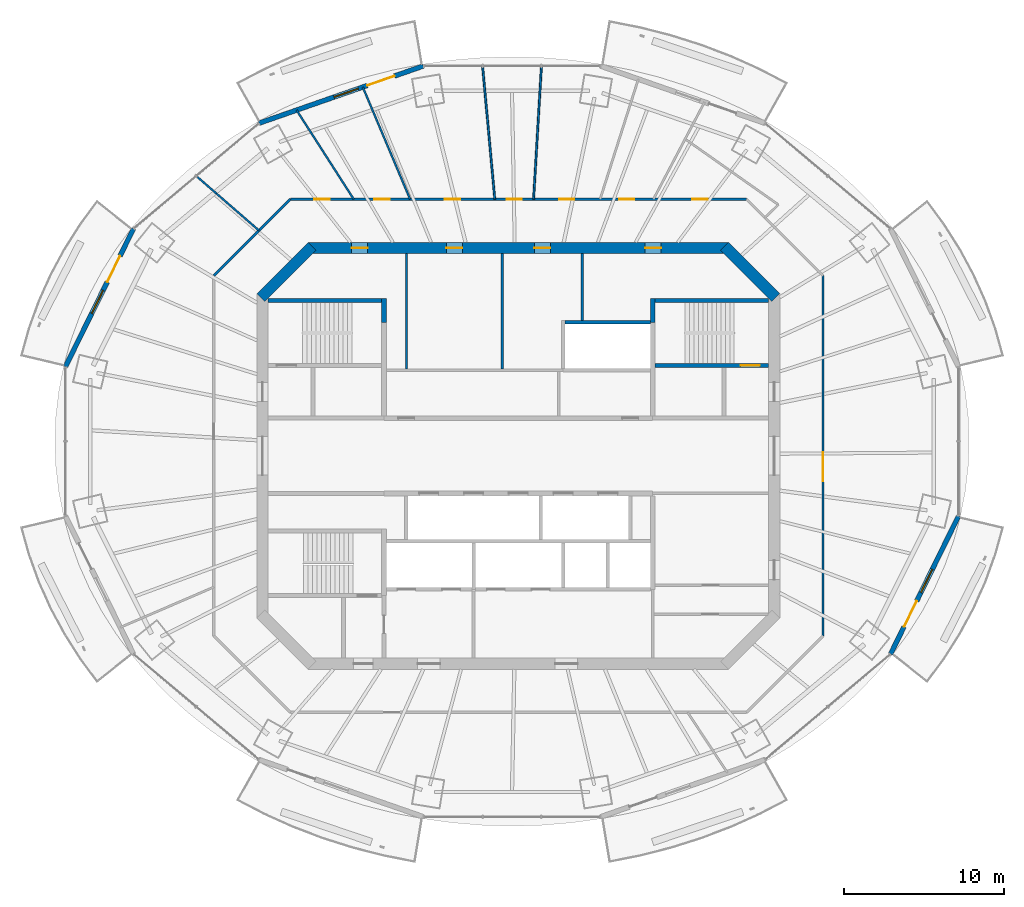
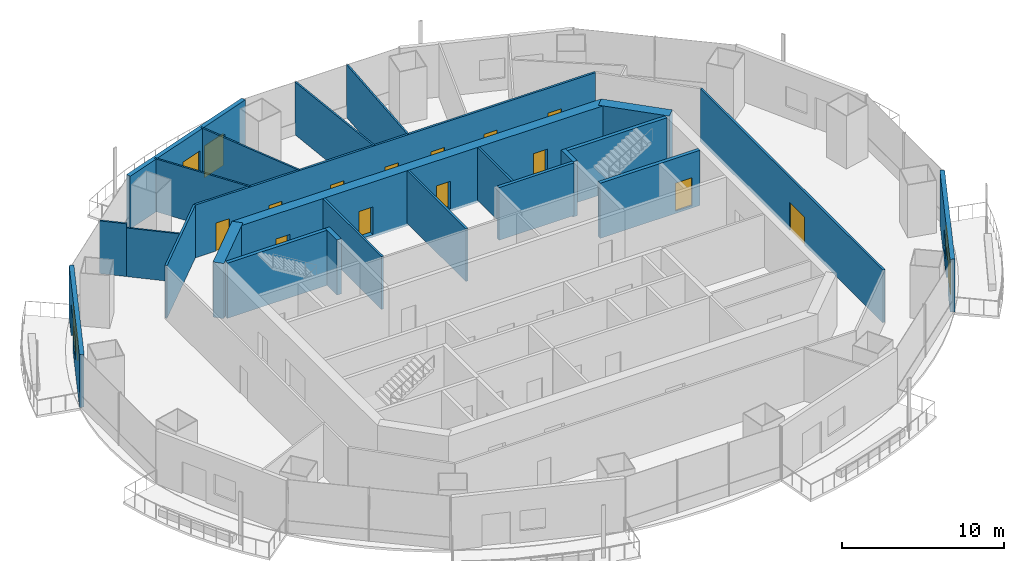
# One storey, part 10 of 16: 24 walls, 16 doors, 3 windows, 19 openings.
"""IFC4 building model written with IfcOpenShell, lengths in metres."""

from ifc_helpers import new_model, si_unit, direction, frame, frame_2d, origin, place, context, subcontext, project, spatial, rectangle, extrude, material, layer, layer_set, type_object, element, fill, save


model = new_model("IFC4")

# Units and contexts
model_context = context("Model", 3, precision=1e-05, world=origin(), true_north=direction((0.0, 1.0)))
body_context = subcontext(model_context, "Body", "Model", "MODEL_VIEW")
ifc_project = project(units=[si_unit("LENGTHUNIT", "METRE"), si_unit("AREAUNIT", "SQUARE_METRE"), si_unit("VOLUMEUNIT", "CUBIC_METRE"), si_unit("PLANEANGLEUNIT", "RADIAN"), si_unit("MASSUNIT", "GRAM", prefix="KILO")], contexts=[model_context])

# Site, building, storey
site_placement = place(None, origin())
site = spatial("IfcSite", under=ifc_project, at=site_placement, CompositionType="ELEMENT")
building_placement = place(site_placement, origin())
building = spatial("IfcBuilding", under=site, at=building_placement, Name="Marenthal Gate Tower", CompositionType="ELEMENT")
storey_placement = place(building_placement, frame((0.0, 0.0, 301.10009765625)))
storey = spatial("IfcBuildingStorey", under=building, at=storey_placement, Name="L67", CompositionType="ELEMENT", Elevation=301.10009765625)

# Wall
ifc_material_1 = material(Name="Concrete 60 MPa", Category="concrete")
ifc_layer_1 = layer(ifc_material_1, 0.699951171875)
ifc_layer_set_1 = layer_set([ifc_layer_1], Name="Core shear wall 700")
wall_type_1 = type_object("IfcWallType", Name="Core shear wall 700", PredefinedType="SHEAR", material=ifc_layer_set_1)
wall_1_placement = place(storey_placement, frame((16.1025390625, 9.8974609375, -0.18017578125), z_axis=(0.0, 0.0, 1.0), x_axis=(-0.707106781187, 0.707106781187, 0.0)))
element("IfcWall", 1, at=wall_1_placement, inside=storey, type_object=wall_type_1, Name="Core wall 03", PredefinedType="SHEAR", context=body_context, shape_type="SweptSolid", body=[
    extrude(rectangle(XDim=4.53271484375, YDim=0.699951171875, at=frame_2d((2.266357421875, 0.0))), origin(), (0.0, 0.0, 1.0), 4.150146484375),
])

# Wall, openings, doors
wall_2_placement = place(storey_placement, frame((13.14501953125, 13.0, -0.18017578125), z_axis=(0.0, 0.0, 1.0), x_axis=(-1.0, 0.0, 0.0)))
wall_2 = element("IfcWall", 2, at=wall_2_placement, inside=storey, type_object=wall_type_1, Name="Core wall 04", PredefinedType="SHEAR", context=body_context, shape_type="SweptSolid", body=[
    extrude(rectangle(XDim=26.2900390625, YDim=0.699951171875, at=frame_2d((13.14501953125, 0.0))), origin(), (0.0, 0.0, 1.0), 4.150146484375),
])
opening_1_placement = place(wall_2_placement, frame((22.57275390625, 0.0, 0.179931640625)))
opening_1 = element("IfcOpeningElement", 3, at=opening_1_placement, cuts=wall_2, Name="Opening D005.03", PredefinedType="OPENING", context=body_context, shape_type="SweptSolid", body=[
    extrude(rectangle(XDim=1.0, YDim=2.10009765625, at=frame_2d((0.5, 1.050048828125))), frame((0.0, 0.35986328125, 0.0), z_axis=(0.0, -1.0, 0.0), x_axis=(1.0, 0.0, 0.0)), (0.0, 0.0, 1.0), 0.719970703125),
])
opening_2_placement = place(wall_2_placement, frame((16.64501953125, 0.0, 0.179931640625)))
opening_2 = element("IfcOpeningElement", 4, at=opening_2_placement, cuts=wall_2, Name="Opening D005.04", PredefinedType="OPENING", context=body_context, shape_type="SweptSolid", body=[
    extrude(rectangle(XDim=1.0, YDim=2.10009765625, at=frame_2d((0.5, 1.050048828125))), frame((0.0, 0.35986328125, 0.0), z_axis=(0.0, -1.0, 0.0), x_axis=(1.0, 0.0, 0.0)), (0.0, 0.0, 1.0), 0.719970703125),
])
opening_3_placement = place(wall_2_placement, frame((11.14501953125, 0.0, 0.179931640625)))
opening_3 = element("IfcOpeningElement", 5, at=opening_3_placement, cuts=wall_2, Name="Opening D005.05", PredefinedType="OPENING", context=body_context, shape_type="SweptSolid", body=[
    extrude(rectangle(XDim=1.0, YDim=2.10009765625, at=frame_2d((0.5, 1.050048828125))), frame((0.0, 0.35986328125, 0.0), z_axis=(0.0, -1.0, 0.0), x_axis=(1.0, 0.0, 0.0)), (0.0, 0.0, 1.0), 0.719970703125),
])
opening_4_placement = place(wall_2_placement, frame((4.21728515625, 0.0, 0.179931640625)))
opening_4 = element("IfcOpeningElement", 6, at=opening_4_placement, cuts=wall_2, Name="Opening D005.06", PredefinedType="OPENING", context=body_context, shape_type="SweptSolid", body=[
    extrude(rectangle(XDim=1.0, YDim=2.10009765625, at=frame_2d((0.5, 1.050048828125))), frame((0.0, 0.35986328125, 0.0), z_axis=(0.0, -1.0, 0.0), x_axis=(1.0, 0.0, 0.0)), (0.0, 0.0, 1.0), 0.719970703125),
])
ifc_material_2 = material(Name="Steel fire door", Category="steel")
door_type_1 = type_object("IfcDoorType", Name="Fire door FD 45 1000 x 2100", OperationType="NOTDEFINED", PredefinedType="DOOR", material=ifc_material_2)
door_1_placement = place(opening_1_placement, origin())
door_1 = element("IfcDoor", 7, at=door_1_placement, inside=storey, type_object=door_type_1, Name="Door D005.03", OperationType="SINGLE_SWING_RIGHT", OverallHeight=2.10009765625, OverallWidth=1.0, PredefinedType="DOOR", context=body_context, shape_type="SweptSolid", body=[
    extrude(rectangle(XDim=1.0, YDim=2.10009765625, at=frame_2d((0.5, 1.050048828125))), frame((0.0, 0.02490234375, 0.0), z_axis=(0.0, -1.0, 0.0), x_axis=(1.0, 0.0, 0.0)), (0.0, 0.0, 1.0), 0.050048828125),
])
fill(opening_1, door_1)
door_2_placement = place(opening_2_placement, origin())
door_2 = element("IfcDoor", 8, at=door_2_placement, inside=storey, type_object=door_type_1, Name="Door D005.04", OperationType="SINGLE_SWING_RIGHT", OverallHeight=2.10009765625, OverallWidth=1.0, PredefinedType="DOOR", context=body_context, shape_type="SweptSolid", body=[
    extrude(rectangle(XDim=1.0, YDim=2.10009765625, at=frame_2d((0.5, 1.050048828125))), frame((0.0, 0.02490234375, 0.0), z_axis=(0.0, -1.0, 0.0), x_axis=(1.0, 0.0, 0.0)), (0.0, 0.0, 1.0), 0.050048828125),
])
fill(opening_2, door_2)
door_3_placement = place(opening_3_placement, origin())
door_3 = element("IfcDoor", 9, at=door_3_placement, inside=storey, type_object=door_type_1, Name="Door D005.05", OperationType="SINGLE_SWING_RIGHT", OverallHeight=2.10009765625, OverallWidth=1.0, PredefinedType="DOOR", context=body_context, shape_type="SweptSolid", body=[
    extrude(rectangle(XDim=1.0, YDim=2.10009765625, at=frame_2d((0.5, 1.050048828125))), frame((0.0, 0.02490234375, 0.0), z_axis=(0.0, -1.0, 0.0), x_axis=(1.0, 0.0, 0.0)), (0.0, 0.0, 1.0), 0.050048828125),
])
fill(opening_3, door_3)
door_4_placement = place(opening_4_placement, origin())
door_4 = element("IfcDoor", 10, at=door_4_placement, inside=storey, type_object=door_type_1, Name="Door D005.06", OperationType="SINGLE_SWING_RIGHT", OverallHeight=2.10009765625, OverallWidth=1.0, PredefinedType="DOOR", context=body_context, shape_type="SweptSolid", body=[
    extrude(rectangle(XDim=1.0, YDim=2.10009765625, at=frame_2d((0.5, 1.050048828125))), frame((0.0, 0.02490234375, 0.0), z_axis=(0.0, -1.0, 0.0), x_axis=(1.0, 0.0, 0.0)), (0.0, 0.0, 1.0), 0.050048828125),
])
fill(opening_4, door_4)

# Walls
wall_3_placement = place(storey_placement, frame((-12.8974609375, 13.1025390625, -0.18017578125), z_axis=(0.0, 0.0, 1.0), x_axis=(-0.707106781187, -0.707106781187, 0.0)))
element("IfcWall", 11, at=wall_3_placement, inside=storey, type_object=wall_type_1, Name="Core wall 05", PredefinedType="SHEAR", context=body_context, shape_type="SweptSolid", body=[
    extrude(rectangle(XDim=4.53271484375, YDim=0.699951171875, at=frame_2d((2.266357421875, 0.0))), origin(), (0.0, 0.0, 1.0), 4.150146484375),
])
ifc_material_3 = material(Name="Concrete 40 MPa", Category="concrete")
ifc_layer_2 = layer(ifc_material_3, 0.219970703125)
ifc_layer_set_2 = layer_set([ifc_layer_2], Name="Hoistway wall 220")
wall_type_2 = type_object("IfcWallType", Name="Hoistway wall 220", PredefinedType="STANDARD", material=ifc_layer_set_2)
wall_4_placement = place(storey_placement, frame((2.909912109375, 8.35009765625, 0.0), z_axis=(0.0, 0.0, 1.0), x_axis=(1.0, 0.0, 0.0)))
element("IfcWall", 12, at=wall_4_placement, inside=storey, type_object=wall_type_2, Name="Hoistway wall 26", PredefinedType="STANDARD", context=body_context, shape_type="SweptSolid", body=[
    extrude(rectangle(XDim=5.340087890625, YDim=0.219970703125, at=frame_2d((2.669921875, 0.0))), origin(), (0.0, 0.0, 1.0), 3.969970703125),
])
ifc_material_4 = material(Name="Gypsum board on steel studs", Category="steel")
ifc_layer_3 = layer(ifc_material_4, 0.1201171875)
ifc_layer_set_3 = layer_set([ifc_layer_3], Name="Partition 120")
wall_type_3 = type_object("IfcWallType", Name="Partition 120", PredefinedType="PARTITIONING", material=ifc_layer_set_3)
wall_5_placement = place(storey_placement, frame((-16.222412109375, 14.091064453125, 0.0), z_axis=(0.0, 0.0, 1.0), x_axis=(-0.75497337259, 0.655755447313, 0.0)))
element("IfcWall", 13, at=wall_5_placement, inside=storey, type_object=wall_type_3, Name="Partition wall 55", PredefinedType="PARTITIONING", context=body_context, shape_type="SweptSolid", body=[
    extrude(rectangle(XDim=3.513916015625, YDim=0.1201171875, at=frame_2d((1.7568359375, 0.0))), origin(), (0.0, 0.0, 1.0), 3.659912109375),
])
wall_6_placement = place(storey_placement, frame((-18.875244140625, 16.395263671875, 0.0), z_axis=(0.0, 0.0, 1.0), x_axis=(-0.754938829858, 0.655795214357, 0.0)))
element("IfcWall", 14, at=wall_6_placement, inside=storey, type_object=wall_type_3, Name="Partition wall 71", PredefinedType="PARTITIONING", context=body_context, shape_type="SweptSolid", body=[
    extrude(rectangle(XDim=1.686767578125, YDim=0.1201171875, at=frame_2d((0.84326171875, 0.0))), origin(), (0.0, 0.0, 1.0), 3.969970703125),
])
wall_7_placement = place(storey_placement, frame((-10.29931640625, 16.050048828125, 0.0), z_axis=(0.0, 0.0, 1.0), x_axis=(-0.540034071495, 0.841643155752, 0.0)))
element("IfcWall", 15, at=wall_7_placement, inside=storey, type_object=wall_type_3, Name="Partition wall 58", PredefinedType="PARTITIONING", context=body_context, shape_type="SweptSolid", body=[
    extrude(rectangle(XDim=6.618896484375, YDim=0.1201171875, at=frame_2d((3.3095703125, 0.0))), origin(), (0.0, 0.0, 1.0), 3.969970703125),
])
wall_8_placement = place(storey_placement, frame((-6.7734375, 16.050048828125, 0.0), z_axis=(0.0, 0.0, 1.0), x_axis=(-0.388811119227, 0.92131748793, 0.0)))
element("IfcWall", 16, at=wall_8_placement, inside=storey, type_object=wall_type_3, Name="Partition wall 59", PredefinedType="PARTITIONING", context=body_context, shape_type="SweptSolid", body=[
    extrude(rectangle(XDim=7.611572265625, YDim=0.1201171875, at=frame_2d((3.8056640625, 0.0))), origin(), (0.0, 0.0, 1.0), 3.969970703125),
])
wall_9_placement = place(storey_placement, frame((-1.47607421875, 16.050048828125, 0.0), z_axis=(0.0, 0.0, 1.0), x_axis=(-0.09154907724, 0.995800565604, 0.0)))
element("IfcWall", 17, at=wall_9_placement, inside=storey, type_object=wall_type_3, Name="Partition wall 60", PredefinedType="PARTITIONING", context=body_context, shape_type="SweptSolid", body=[
    extrude(rectangle(XDim=8.363037109375, YDim=0.1201171875, at=frame_2d((4.181640625, 0.0))), origin(), (0.0, 0.0, 1.0), 3.969970703125),
])
wall_10_placement = place(storey_placement, frame((0.94921875, 16.050048828125, 0.0), z_axis=(0.0, 0.0, 1.0), x_axis=(0.059056546613, 0.998254639009, 0.0)))
element("IfcWall", 18, at=wall_10_placement, inside=storey, type_object=wall_type_3, Name="Partition wall 61", PredefinedType="PARTITIONING", context=body_context, shape_type="SweptSolid", body=[
    extrude(rectangle(XDim=8.342529296875, YDim=0.1201171875, at=frame_2d((4.17138671875, 0.0))), origin(), (0.0, 0.0, 1.0), 3.969970703125),
])
ifc_material_5 = material(Name="Gypsum board on steel studs", Category="steel")
ifc_layer_4 = layer(ifc_material_5, 0.14990234375)
ifc_layer_set_4 = layer_set([ifc_layer_4], Name="Partition 150")
wall_type_4 = type_object("IfcWallType", Name="Partition 150", PredefinedType="PARTITIONING", material=ifc_layer_set_4)
for number, where, z_axis, x_axis, name in (
    (19, (-7.0, 5.425048828125, 0.0), (0.0, 0.0, 1.0), (0.0, 1.0, 0.0), "Partition wall 36"),
    (20, (-1.0, 5.425048828125, 0.0), (0.0, 0.0, 1.0), (0.0, 1.0, 0.0), "Partition wall 39"),
):
    element("IfcWall", number, at=place(storey_placement, frame(where, z_axis=z_axis, x_axis=x_axis)), inside=storey, type_object=wall_type_4, Name=name, PredefinedType="PARTITIONING", context=body_context, shape_type="SweptSolid", body=[
        extrude(rectangle(XDim=7.224853515625, YDim=0.14990234375, at=frame_2d((3.6123046875, 0.0))), origin(), (0.0, 0.0, 1.0), 3.969970703125),
    ])
wall_11_placement = place(storey_placement, frame((4.0, 8.4599609375, 0.0), z_axis=(0.0, 0.0, 1.0), x_axis=(0.0, 1.0, 0.0)))
element("IfcWall", 21, at=wall_11_placement, inside=storey, type_object=wall_type_4, Name="Partition wall 44", PredefinedType="PARTITIONING", context=body_context, shape_type="SweptSolid", body=[
    extrude(rectangle(XDim=4.18994140625, YDim=0.14990234375, at=frame_2d((2.094970703125, 0.0))), origin(), (0.0, 0.0, 1.0), 3.969970703125),
])
wall_12_placement = place(storey_placement, frame((-19.050048828125, 11.263427734375, 0.0), z_axis=(0.0, 0.0, 1.0), x_axis=(0.707106781187, 0.707106781187, 0.0)))
element("IfcWall", 22, at=wall_12_placement, inside=storey, type_object=wall_type_4, Name="Partition wall 54", PredefinedType="PARTITIONING", context=body_context, shape_type="SweptSolid", body=[
    extrude(rectangle(XDim=6.769287109375, YDim=0.14990234375, at=frame_2d((3.384765625, 0.0))), origin(), (0.0, 0.0, 1.0), 3.969970703125),
])

# Wall, openings, doors
wall_13_placement = place(storey_placement, frame((-14.263427734375, 16.050048828125, 0.0), z_axis=(0.0, 0.0, 1.0), x_axis=(1.0, 0.0, 0.0)))
wall_13 = element("IfcWall", 23, at=wall_13_placement, inside=storey, type_object=wall_type_4, Name="Partition wall 57", PredefinedType="PARTITIONING", context=body_context, shape_type="SweptSolid", body=[
    extrude(rectangle(XDim=28.52685546875, YDim=0.14990234375, at=frame_2d((14.263427734375, 0.0))), origin(), (0.0, 0.0, 1.0), 3.969970703125),
])
opening_5_placement = place(wall_13_placement, frame((25.14404296875, 0.0, 0.0)))
opening_5 = element("IfcOpeningElement", 24, at=opening_5_placement, cuts=wall_13, Name="Opening D016.01", PredefinedType="OPENING", context=body_context, shape_type="SweptSolid", body=[
    extrude(rectangle(XDim=0.949951171875, YDim=2.10009765625, at=frame_2d((0.47509765625, 1.050048828125))), frame((0.0, 0.0849609375, 0.0), z_axis=(0.0, -1.0, 0.0), x_axis=(1.0, 0.0, 0.0)), (0.0, 0.0, 1.0), 0.169921875),
])
opening_6_placement = place(wall_13_placement, frame((20.56689453125, 0.0, 0.0)))
opening_6 = element("IfcOpeningElement", 25, at=opening_6_placement, cuts=wall_13, Name="Opening D016.02", PredefinedType="OPENING", context=body_context, shape_type="SweptSolid", body=[
    extrude(rectangle(XDim=0.949951171875, YDim=2.10009765625, at=frame_2d((0.47509765625, 1.050048828125))), frame((0.0, 0.0849609375, 0.0), z_axis=(0.0, -1.0, 0.0), x_axis=(1.0, 0.0, 0.0)), (0.0, 0.0, 1.0), 0.169921875),
])
opening_7_placement = place(wall_13_placement, frame((16.818115234375, 0.0, 0.0)))
opening_7 = element("IfcOpeningElement", 26, at=opening_7_placement, cuts=wall_13, Name="Opening D016.03", PredefinedType="OPENING", context=body_context, shape_type="SweptSolid", body=[
    extrude(rectangle(XDim=0.949951171875, YDim=2.10009765625, at=frame_2d((0.47509765625, 1.050048828125))), frame((0.0, 0.0849609375, 0.0), z_axis=(0.0, -1.0, 0.0), x_axis=(1.0, 0.0, 0.0)), (0.0, 0.0, 1.0), 0.169921875),
])
opening_8_placement = place(wall_13_placement, frame((13.52490234375, 0.0, 0.0)))
opening_8 = element("IfcOpeningElement", 27, at=opening_8_placement, cuts=wall_13, Name="Opening D016.04", PredefinedType="OPENING", context=body_context, shape_type="SweptSolid", body=[
    extrude(rectangle(XDim=0.949951171875, YDim=2.10009765625, at=frame_2d((0.47509765625, 1.050048828125))), frame((0.0, 0.0849609375, 0.0), z_axis=(0.0, -1.0, 0.0), x_axis=(1.0, 0.0, 0.0)), (0.0, 0.0, 1.0), 0.169921875),
])
opening_9_placement = place(wall_13_placement, frame((9.6640625, 0.0, 0.0)))
opening_9 = element("IfcOpeningElement", 28, at=opening_9_placement, cuts=wall_13, Name="Opening D016.05", PredefinedType="OPENING", context=body_context, shape_type="SweptSolid", body=[
    extrude(rectangle(XDim=0.949951171875, YDim=2.10009765625, at=frame_2d((0.47509765625, 1.050048828125))), frame((0.0, 0.0849609375, 0.0), z_axis=(0.0, -1.0, 0.0), x_axis=(1.0, 0.0, 0.0)), (0.0, 0.0, 1.0), 0.169921875),
])
opening_10_placement = place(wall_13_placement, frame((5.251953125, 0.0, 0.0)))
opening_10 = element("IfcOpeningElement", 29, at=opening_10_placement, cuts=wall_13, Name="Opening D016.06", PredefinedType="OPENING", context=body_context, shape_type="SweptSolid", body=[
    extrude(rectangle(XDim=0.949951171875, YDim=2.10009765625, at=frame_2d((0.47509765625, 1.050048828125))), frame((0.0, 0.0849609375, 0.0), z_axis=(0.0, -1.0, 0.0), x_axis=(1.0, 0.0, 0.0)), (0.0, 0.0, 1.0), 0.169921875),
])
opening_11_placement = place(wall_13_placement, frame((1.507080078125, 0.0, 0.0)))
opening_11 = element("IfcOpeningElement", 30, at=opening_11_placement, cuts=wall_13, Name="Opening D016.07", PredefinedType="OPENING", context=body_context, shape_type="SweptSolid", body=[
    extrude(rectangle(XDim=0.949951171875, YDim=2.10009765625, at=frame_2d((0.47509765625, 1.050048828125))), frame((0.0, 0.0849609375, 0.0), z_axis=(0.0, -1.0, 0.0), x_axis=(1.0, 0.0, 0.0)), (0.0, 0.0, 1.0), 0.169921875),
])
ifc_material_6 = material(Name="Timber door", Category="wood")
door_type_2 = type_object("IfcDoorType", Name="Door 950 x 2100", OperationType="NOTDEFINED", PredefinedType="DOOR", material=ifc_material_6)
door_5_placement = place(opening_5_placement, origin())
door_5 = element("IfcDoor", 31, at=door_5_placement, inside=storey, type_object=door_type_2, Name="Door D016.01", OperationType="SINGLE_SWING_RIGHT", OverallHeight=2.10009765625, OverallWidth=0.949951171875, PredefinedType="DOOR", context=body_context, shape_type="SweptSolid", body=[
    extrude(rectangle(XDim=0.949951171875, YDim=2.10009765625, at=frame_2d((0.47509765625, 1.050048828125))), frame((0.0, 0.02490234375, 0.0), z_axis=(0.0, -1.0, 0.0), x_axis=(1.0, 0.0, 0.0)), (0.0, 0.0, 1.0), 0.050048828125),
])
fill(opening_5, door_5)
door_6_placement = place(opening_6_placement, origin())
door_6 = element("IfcDoor", 32, at=door_6_placement, inside=storey, type_object=door_type_2, Name="Door D016.02", OperationType="SINGLE_SWING_RIGHT", OverallHeight=2.10009765625, OverallWidth=0.949951171875, PredefinedType="DOOR", context=body_context, shape_type="SweptSolid", body=[
    extrude(rectangle(XDim=0.949951171875, YDim=2.10009765625, at=frame_2d((0.47509765625, 1.050048828125))), frame((0.0, 0.02490234375, 0.0), z_axis=(0.0, -1.0, 0.0), x_axis=(1.0, 0.0, 0.0)), (0.0, 0.0, 1.0), 0.050048828125),
])
fill(opening_6, door_6)
door_7_placement = place(opening_7_placement, origin())
door_7 = element("IfcDoor", 33, at=door_7_placement, inside=storey, type_object=door_type_2, Name="Door D016.03", OperationType="SINGLE_SWING_RIGHT", OverallHeight=2.10009765625, OverallWidth=0.949951171875, PredefinedType="DOOR", context=body_context, shape_type="SweptSolid", body=[
    extrude(rectangle(XDim=0.949951171875, YDim=2.10009765625, at=frame_2d((0.47509765625, 1.050048828125))), frame((0.0, 0.02490234375, 0.0), z_axis=(0.0, -1.0, 0.0), x_axis=(1.0, 0.0, 0.0)), (0.0, 0.0, 1.0), 0.050048828125),
])
fill(opening_7, door_7)
door_8_placement = place(opening_8_placement, origin())
door_8 = element("IfcDoor", 34, at=door_8_placement, inside=storey, type_object=door_type_2, Name="Door D016.04", OperationType="SINGLE_SWING_RIGHT", OverallHeight=2.10009765625, OverallWidth=0.949951171875, PredefinedType="DOOR", context=body_context, shape_type="SweptSolid", body=[
    extrude(rectangle(XDim=0.949951171875, YDim=2.10009765625, at=frame_2d((0.47509765625, 1.050048828125))), frame((0.0, 0.02490234375, 0.0), z_axis=(0.0, -1.0, 0.0), x_axis=(1.0, 0.0, 0.0)), (0.0, 0.0, 1.0), 0.050048828125),
])
fill(opening_8, door_8)
door_9_placement = place(opening_9_placement, origin())
door_9 = element("IfcDoor", 35, at=door_9_placement, inside=storey, type_object=door_type_2, Name="Door D016.05", OperationType="SINGLE_SWING_RIGHT", OverallHeight=2.10009765625, OverallWidth=0.949951171875, PredefinedType="DOOR", context=body_context, shape_type="SweptSolid", body=[
    extrude(rectangle(XDim=0.949951171875, YDim=2.10009765625, at=frame_2d((0.47509765625, 1.050048828125))), frame((0.0, 0.02490234375, 0.0), z_axis=(0.0, -1.0, 0.0), x_axis=(1.0, 0.0, 0.0)), (0.0, 0.0, 1.0), 0.050048828125),
])
fill(opening_9, door_9)
door_10_placement = place(opening_10_placement, origin())
door_10 = element("IfcDoor", 36, at=door_10_placement, inside=storey, type_object=door_type_2, Name="Door D016.06", OperationType="SINGLE_SWING_RIGHT", OverallHeight=2.10009765625, OverallWidth=0.949951171875, PredefinedType="DOOR", context=body_context, shape_type="SweptSolid", body=[
    extrude(rectangle(XDim=0.949951171875, YDim=2.10009765625, at=frame_2d((0.47509765625, 1.050048828125))), frame((0.0, 0.02490234375, 0.0), z_axis=(0.0, -1.0, 0.0), x_axis=(1.0, 0.0, 0.0)), (0.0, 0.0, 1.0), 0.050048828125),
])
fill(opening_10, door_10)
door_11_placement = place(opening_11_placement, origin())
door_11 = element("IfcDoor", 37, at=door_11_placement, inside=storey, type_object=door_type_2, Name="Door D016.07", OperationType="SINGLE_SWING_RIGHT", OverallHeight=2.10009765625, OverallWidth=0.949951171875, PredefinedType="DOOR", context=body_context, shape_type="SweptSolid", body=[
    extrude(rectangle(XDim=0.949951171875, YDim=2.10009765625, at=frame_2d((0.47509765625, 1.050048828125))), frame((0.0, 0.02490234375, 0.0), z_axis=(0.0, -1.0, 0.0), x_axis=(1.0, 0.0, 0.0)), (0.0, 0.0, 1.0), 0.050048828125),
])
fill(opening_11, door_11)

# Wall, opening, door
wall_14_placement = place(storey_placement, frame((19.050048828125, 11.263427734375, 0.0), z_axis=(0.0, 0.0, 1.0), x_axis=(0.0, -1.0, 0.0)))
wall_14 = element("IfcWall", 38, at=wall_14_placement, inside=storey, type_object=wall_type_4, Name="Partition wall 70", PredefinedType="PARTITIONING", context=body_context, shape_type="SweptSolid", body=[
    extrude(rectangle(XDim=22.52685546875, YDim=0.14990234375, at=frame_2d((11.263427734375, 0.0))), origin(), (0.0, 0.0, 1.0), 3.969970703125),
])
opening_12_placement = place(wall_14_placement, frame((11.0419921875, 0.0, 0.0)))
opening_12 = element("IfcOpeningElement", 39, at=opening_12_placement, cuts=wall_14, Name="Opening D014.01", PredefinedType="OPENING", context=body_context, shape_type="SweptSolid", body=[
    extrude(rectangle(XDim=1.800048828125, YDim=2.10009765625, at=frame_2d((0.89990234375, 1.050048828125))), frame((0.0, 0.0849609375, 0.0), z_axis=(0.0, -1.0, 0.0), x_axis=(1.0, 0.0, 0.0)), (0.0, 0.0, 1.0), 0.169921875),
])
ifc_material_7 = material(Name="Timber door", Category="wood")
door_type_3 = type_object("IfcDoorType", Name="Double door 1800 x 2100", OperationType="DOUBLE_DOOR_SINGLE_SWING", PredefinedType="DOOR", material=ifc_material_7)
door_12_placement = place(opening_12_placement, origin())
door_12 = element("IfcDoor", 40, at=door_12_placement, inside=storey, type_object=door_type_3, Name="Door D014.01", OperationType="DOUBLE_DOOR_SINGLE_SWING", OverallHeight=2.10009765625, OverallWidth=1.800048828125, PredefinedType="DOOR", context=body_context, shape_type="SweptSolid", body=[
    extrude(rectangle(XDim=1.800048828125, YDim=2.10009765625, at=frame_2d((0.89990234375, 1.050048828125))), frame((0.0, 0.02490234375, 0.0), z_axis=(0.0, -1.0, 0.0), x_axis=(1.0, 0.0, 0.0)), (0.0, 0.0, 1.0), 0.050048828125),
])
fill(opening_12, door_12)

ifc_material_8 = material(Name="Concrete 50 MPa", Category="concrete")
ifc_layer_5 = layer(ifc_material_8, 0.25)
ifc_layer_set_5 = layer_set([ifc_layer_5], Name="Stair shear wall 250")
wall_type_5 = type_object("IfcWallType", Name="Stair shear wall 250", PredefinedType="SHEAR", material=ifc_layer_set_5)
wall_15_placement = place(storey_placement, frame((8.550048828125, 5.64990234375, -0.18017578125), z_axis=(0.0, 0.0, 1.0), x_axis=(1.0, 0.0, 0.0)))
wall_15 = element("IfcWall", 41, at=wall_15_placement, inside=storey, type_object=wall_type_5, Name="Stair wall 25", PredefinedType="SHEAR", context=body_context, shape_type="SweptSolid", body=[
    extrude(rectangle(XDim=7.099853515625, YDim=0.25, at=frame_2d((3.5498046875, 0.0))), origin(), (0.0, 0.0, 1.0), 4.150146484375),
])
opening_13_placement = place(wall_15_placement, frame((5.35009765625, 0.0, 0.179931640625)))
opening_13 = element("IfcOpeningElement", 42, at=opening_13_placement, cuts=wall_15, Name="Opening D001.02", PredefinedType="OPENING", context=body_context, shape_type="SweptSolid", body=[
    extrude(rectangle(XDim=1.199951171875, YDim=2.10009765625, at=frame_2d((0.60009765625, 1.050048828125))), frame((0.0, 0.135009765625, 0.0), z_axis=(0.0, -1.0, 0.0), x_axis=(1.0, 0.0, 0.0)), (0.0, 0.0, 1.0), 0.27001953125),
])
ifc_material_9 = material(Name="Steel fire door", Category="steel")
door_type_4 = type_object("IfcDoorType", Name="Fire door FD 90 1200 x 2100", OperationType="NOTDEFINED", PredefinedType="DOOR", material=ifc_material_9)
door_13_placement = place(opening_13_placement, origin())
door_13 = element("IfcDoor", 43, at=door_13_placement, inside=storey, type_object=door_type_4, Name="Door D001.02", OperationType="SINGLE_SWING_RIGHT", OverallHeight=2.10009765625, OverallWidth=1.199951171875, PredefinedType="DOOR", context=body_context, shape_type="SweptSolid", body=[
    extrude(rectangle(XDim=1.199951171875, YDim=2.10009765625, at=frame_2d((0.60009765625, 1.050048828125))), frame((0.0, 0.02490234375, 0.0), z_axis=(0.0, -1.0, 0.0), x_axis=(1.0, 0.0, 0.0)), (0.0, 0.0, 1.0), 0.050048828125),
])
fill(opening_13, door_13)

# Walls
for number, where, z_axis, x_axis, name in (
    (44, (-15.64990234375, 9.699951171875, -0.18017578125), (0.0, 0.0, 1.0), (1.0, 0.0, 0.0), "Stair wall 27"),
    (45, (8.550048828125, 9.699951171875, -0.18017578125), (0.0, 0.0, 1.0), (1.0, 0.0, 0.0), "Stair wall 28"),
):
    element("IfcWall", number, at=place(storey_placement, frame(where, z_axis=z_axis, x_axis=x_axis)), inside=storey, type_object=wall_type_5, Name=name, PredefinedType="SHEAR", context=body_context, shape_type="SweptSolid", body=[
        extrude(rectangle(XDim=7.099853515625, YDim=0.25, at=frame_2d((3.5498046875, 0.0))), origin(), (0.0, 0.0, 1.0), 4.150146484375),
    ])
ifc_material_10 = material(Name="Concrete 50 MPa", Category="concrete")
ifc_layer_6 = layer(ifc_material_10, 0.300048828125)
ifc_layer_set_6 = layer_set([ifc_layer_6], Name="Stair shear wall 300")
wall_type_6 = type_object("IfcWallType", Name="Stair shear wall 300", PredefinedType="SHEAR", material=ifc_layer_set_6)
for number, where, z_axis, x_axis, name in (
    (46, (-8.39990234375, 8.35009765625, -0.18017578125), (0.0, 0.0, 1.0), (0.0, 1.0, 0.0), "Stair wall 34"),
    (47, (8.39990234375, 8.35009765625, -0.18017578125), (0.0, 0.0, 1.0), (0.0, 1.0, 0.0), "Stair wall 50"),
):
    element("IfcWall", number, at=place(storey_placement, frame(where, z_axis=z_axis, x_axis=x_axis)), inside=storey, type_object=wall_type_6, Name=name, PredefinedType="SHEAR", context=body_context, shape_type="SweptSolid", body=[
        extrude(rectangle(XDim=1.474853515625, YDim=0.300048828125, at=frame_2d((0.7373046875, 0.0))), origin(), (0.0, 0.0, 1.0), 4.150146484375),
    ])

# Wall, openings, door, window
ifc_material_11 = material(Name="Terracotta cladding on insulated concrete-block backing", Category="masonry")
ifc_layer_7 = layer(ifc_material_11, 0.300048828125)
ifc_layer_set_7 = layer_set([ifc_layer_7], Name="Terracotta facade wall 300")
wall_type_7 = type_object("IfcWallType", Name="Terracotta facade wall 300", PredefinedType="SOLIDWALL", material=ifc_layer_set_7)
wall_16_placement = place(storey_placement, frame((-5.955322265625, 24.3779296875, 0.0), z_axis=(0.0, 0.0, 1.0), x_axis=(-0.944390086162, -0.328827257323, 0.0)))
wall_16 = element("IfcWall", 48, at=wall_16_placement, inside=storey, type_object=wall_type_7, Name="Terracotta facade wall L67 bay 5", PredefinedType="SOLIDWALL", context=body_context, shape_type="SweptSolid", body=[
    extrude(rectangle(XDim=10.86962890625, YDim=0.300048828125, at=frame_2d((5.434814453125, 0.0))), origin(), (0.0, 0.0, 1.0), 3.969970703125),
])
opening_14_placement = place(wall_16_placement, frame((1.89990234375, 0.0, 0.0)))
opening_14 = element("IfcOpeningElement", 49, at=opening_14_placement, cuts=wall_16, Name="Opening BD-L67-05", PredefinedType="OPENING", context=body_context, shape_type="SweptSolid", body=[
    extrude(rectangle(XDim=1.800048828125, YDim=2.39990234375, at=frame_2d((0.89990234375, 1.199951171875))), frame((0.0, 0.16015625, 0.0), z_axis=(0.0, -1.0, 0.0), x_axis=(1.0, 0.0, 0.0)), (0.0, 0.0, 1.0), 0.320068359375),
])
opening_15_placement = place(wall_16_placement, frame((4.300048828125, 0.0, 0.89990234375)))
opening_15 = element("IfcOpeningElement", 50, at=opening_15_placement, cuts=wall_16, Name="Opening WN3-L67-05", PredefinedType="OPENING", context=body_context, shape_type="SweptSolid", body=[
    extrude(rectangle(XDim=1.60009765625, YDim=1.5, at=frame_2d((0.800048828125, 0.75))), frame((0.0, 0.16015625, 0.0), z_axis=(0.0, -1.0, 0.0), x_axis=(1.0, 0.0, 0.0)), (0.0, 0.0, 1.0), 0.320068359375),
])
ifc_material_12 = material(Name="Aluminium and glass", Category="aluminium")
door_type_5 = type_object("IfcDoorType", Name="Balcony door 1800x2400", OperationType="DOUBLE_DOOR_SINGLE_SWING", PredefinedType="DOOR", material=ifc_material_12)
door_14_placement = place(opening_14_placement, origin())
door_14 = element("IfcDoor", 51, at=door_14_placement, inside=storey, type_object=door_type_5, Name="Balcony door L67 bay 5", OperationType="SINGLE_SWING_LEFT", OverallHeight=2.39990234375, OverallWidth=1.800048828125, PredefinedType="DOOR", context=body_context, shape_type="SweptSolid", body=[
    extrude(rectangle(XDim=1.800048828125, YDim=2.39990234375, at=frame_2d((0.89990234375, 1.199951171875))), frame((0.0, 0.02490234375, 0.0), z_axis=(0.0, -1.0, 0.0), x_axis=(1.0, 0.0, 0.0)), (0.0, 0.0, 1.0), 0.050048828125),
])
fill(opening_14, door_14)
ifc_material_13 = material(Name="Aluminium and glass", Category="aluminium")
window_type = type_object("IfcWindowType", Name="Window 1600x1500", PartitioningType="DOUBLE_PANEL_VERTICAL", PredefinedType="WINDOW", material=ifc_material_13)
window_1_placement = place(opening_15_placement, origin())
window_1 = element("IfcWindow", 52, at=window_1_placement, inside=storey, type_object=window_type, Name="Window L67 bay 5", OverallHeight=1.5, OverallWidth=1.60009765625, PartitioningType="SINGLE_PANEL", PredefinedType="WINDOW", context=body_context, shape_type="SweptSolid", body=[
    extrude(rectangle(XDim=1.60009765625, YDim=1.5, at=frame_2d((0.800048828125, 0.75))), frame((0.0, 0.030029296875, 0.0), z_axis=(0.0, -1.0, 0.0), x_axis=(1.0, 0.0, 0.0)), (0.0, 0.0, 1.0), 0.06005859375),
])
fill(opening_15, window_1)

wall_17_placement = place(storey_placement, frame((-24.076904296875, 14.19921875, 0.0), z_axis=(0.0, 0.0, 1.0), x_axis=(-0.441998272381, -0.897015901315, 0.0)))
wall_17 = element("IfcWall", 53, at=wall_17_placement, inside=storey, type_object=wall_type_7, Name="Terracotta facade wall L67 bay 7", PredefinedType="SOLIDWALL", context=body_context, shape_type="SweptSolid", body=[
    extrude(rectangle(XDim=9.619873046875, YDim=0.300048828125, at=frame_2d((4.81005859375, 0.0))), origin(), (0.0, 0.0, 1.0), 3.969970703125),
])
opening_16_placement = place(wall_17_placement, frame((1.89990234375, 0.0, 0.0)))
opening_16 = element("IfcOpeningElement", 54, at=opening_16_placement, cuts=wall_17, Name="Opening BD-L67-07", PredefinedType="OPENING", context=body_context, shape_type="SweptSolid", body=[
    extrude(rectangle(XDim=1.800048828125, YDim=2.39990234375, at=frame_2d((0.89990234375, 1.199951171875))), frame((0.0, 0.16015625, 0.0), z_axis=(0.0, -1.0, 0.0), x_axis=(1.0, 0.0, 0.0)), (0.0, 0.0, 1.0), 0.320068359375),
])
opening_17_placement = place(wall_17_placement, frame((4.300048828125, 0.0, 0.89990234375)))
opening_17 = element("IfcOpeningElement", 55, at=opening_17_placement, cuts=wall_17, Name="Opening WN3-L67-07", PredefinedType="OPENING", context=body_context, shape_type="SweptSolid", body=[
    extrude(rectangle(XDim=1.60009765625, YDim=1.5, at=frame_2d((0.800048828125, 0.75))), frame((0.0, 0.16015625, 0.0), z_axis=(0.0, -1.0, 0.0), x_axis=(1.0, 0.0, 0.0)), (0.0, 0.0, 1.0), 0.320068359375),
])
door_15_placement = place(opening_16_placement, origin())
door_15 = element("IfcDoor", 56, at=door_15_placement, inside=storey, type_object=door_type_5, Name="Balcony door L67 bay 7", OperationType="SINGLE_SWING_LEFT", OverallHeight=2.39990234375, OverallWidth=1.800048828125, PredefinedType="DOOR", context=body_context, shape_type="SweptSolid", body=[
    extrude(rectangle(XDim=1.800048828125, YDim=2.39990234375, at=frame_2d((0.89990234375, 1.199951171875))), frame((0.0, 0.02490234375, 0.0), z_axis=(0.0, -1.0, 0.0), x_axis=(1.0, 0.0, 0.0)), (0.0, 0.0, 1.0), 0.050048828125),
])
fill(opening_16, door_15)
window_2_placement = place(opening_17_placement, origin())
window_2 = element("IfcWindow", 57, at=window_2_placement, inside=storey, type_object=window_type, Name="Window L67 bay 7", OverallHeight=1.5, OverallWidth=1.60009765625, PartitioningType="SINGLE_PANEL", PredefinedType="WINDOW", context=body_context, shape_type="SweptSolid", body=[
    extrude(rectangle(XDim=1.60009765625, YDim=1.5, at=frame_2d((0.800048828125, 0.75))), frame((0.0, 0.030029296875, 0.0), z_axis=(0.0, -1.0, 0.0), x_axis=(1.0, 0.0, 0.0)), (0.0, 0.0, 1.0), 0.06005859375),
])
fill(opening_17, window_2)

wall_18_placement = place(storey_placement, frame((23.27685546875, -12.399169921875, 0.0), z_axis=(0.0, 0.0, 1.0), x_axis=(0.441998272381, 0.897015901315, 0.0)))
wall_18 = element("IfcWall", 58, at=wall_18_placement, inside=storey, type_object=wall_type_7, Name="Terracotta facade wall L67 bay 15", PredefinedType="SOLIDWALL", context=body_context, shape_type="SweptSolid", body=[
    extrude(rectangle(XDim=9.619873046875, YDim=0.300048828125, at=frame_2d((4.81005859375, 0.0))), origin(), (0.0, 0.0, 1.0), 3.969970703125),
])
opening_18_placement = place(wall_18_placement, frame((1.89990234375, 0.0, 0.0)))
opening_18 = element("IfcOpeningElement", 59, at=opening_18_placement, cuts=wall_18, Name="Opening BD-L67-15", PredefinedType="OPENING", context=body_context, shape_type="SweptSolid", body=[
    extrude(rectangle(XDim=1.800048828125, YDim=2.39990234375, at=frame_2d((0.89990234375, 1.199951171875))), frame((0.0, 0.16015625, 0.0), z_axis=(0.0, -1.0, 0.0), x_axis=(1.0, 0.0, 0.0)), (0.0, 0.0, 1.0), 0.320068359375),
])
opening_19_placement = place(wall_18_placement, frame((4.300048828125, 0.0, 0.89990234375)))
opening_19 = element("IfcOpeningElement", 60, at=opening_19_placement, cuts=wall_18, Name="Opening WN3-L67-15", PredefinedType="OPENING", context=body_context, shape_type="SweptSolid", body=[
    extrude(rectangle(XDim=1.60009765625, YDim=1.5, at=frame_2d((0.800048828125, 0.75))), frame((0.0, 0.16015625, 0.0), z_axis=(0.0, -1.0, 0.0), x_axis=(1.0, 0.0, 0.0)), (0.0, 0.0, 1.0), 0.320068359375),
])
door_16_placement = place(opening_18_placement, origin())
door_16 = element("IfcDoor", 61, at=door_16_placement, inside=storey, type_object=door_type_5, Name="Balcony door L67 bay 15", OperationType="SINGLE_SWING_LEFT", OverallHeight=2.39990234375, OverallWidth=1.800048828125, PredefinedType="DOOR", context=body_context, shape_type="SweptSolid", body=[
    extrude(rectangle(XDim=1.800048828125, YDim=2.39990234375, at=frame_2d((0.89990234375, 1.199951171875))), frame((0.0, 0.02490234375, 0.0), z_axis=(0.0, -1.0, 0.0), x_axis=(1.0, 0.0, 0.0)), (0.0, 0.0, 1.0), 0.050048828125),
])
fill(opening_18, door_16)
window_3_placement = place(opening_19_placement, origin())
window_3 = element("IfcWindow", 62, at=window_3_placement, inside=storey, type_object=window_type, Name="Window L67 bay 15", OverallHeight=1.5, OverallWidth=1.60009765625, PartitioningType="SINGLE_PANEL", PredefinedType="WINDOW", context=body_context, shape_type="SweptSolid", body=[
    extrude(rectangle(XDim=1.60009765625, YDim=1.5, at=frame_2d((0.800048828125, 0.75))), frame((0.0, 0.030029296875, 0.0), z_axis=(0.0, -1.0, 0.0), x_axis=(1.0, 0.0, 0.0)), (0.0, 0.0, 1.0), 0.06005859375),
])
fill(opening_19, window_3)

save(model, "model.ifc")
